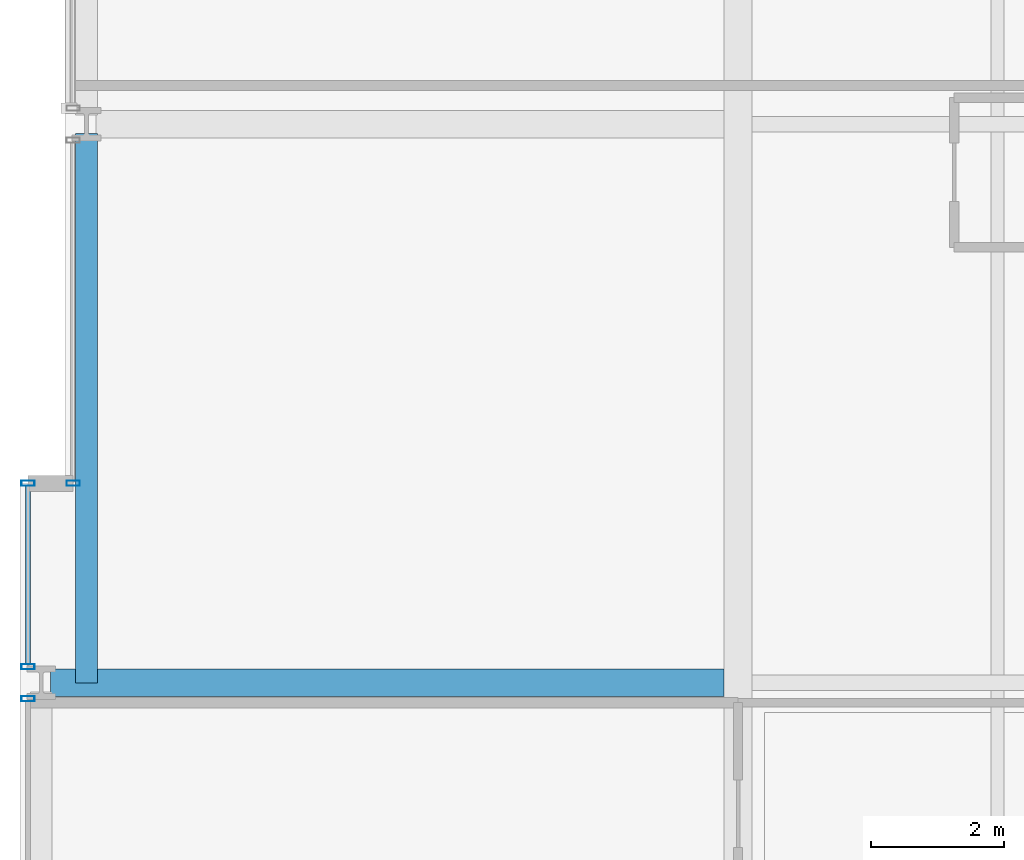
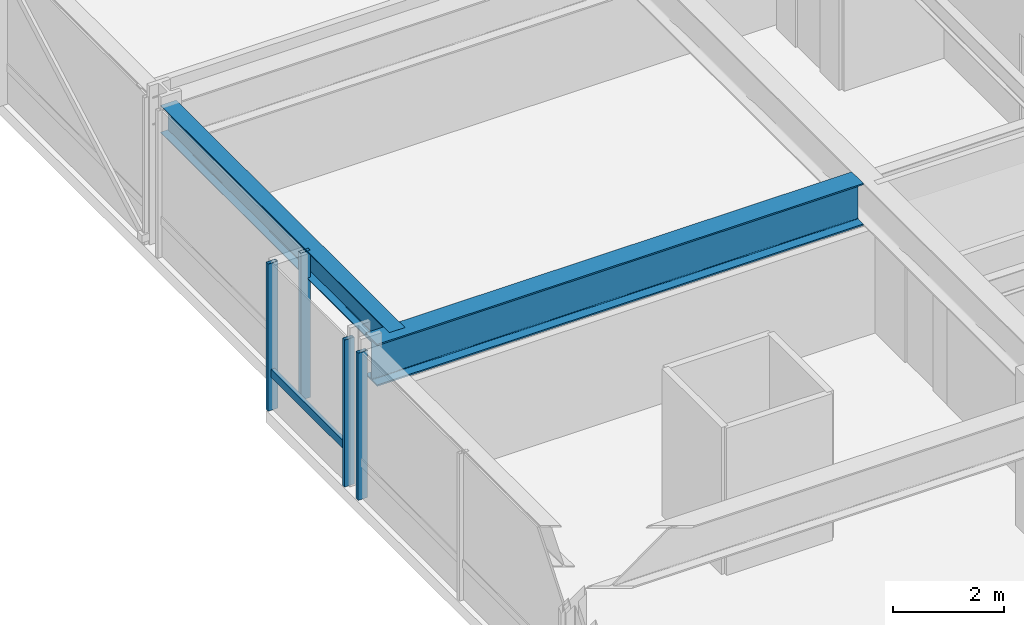
# One storey, part 7 of 37: 5 members, 2 beams, 3 elements without a shape of their own.
"""IFC4 building model written with IfcOpenShell, lengths in metres."""

import ifcopenshell
import ifcopenshell.guid

model = None  # the IFC model being written
_history = None  # IfcOwnerHistory: only IFC2X3 demands one
_inside = {}  # id of a spatial element -> (the spatial element, [elements in it])
_under = {}  # id of a project, library or spatial element -> (it, [spatial elements below it])
_declared = {}  # id of a project -> (the project, [libraries it declares])
_typed = {}  # id of a type object -> (the type object, [elements of that type])
_made_of = {}  # id of a material, layer set ... -> (it, [elements and type objects made of it])


def new_model(schema):
    """Start an empty IFC model of exactly this schema.

    Asked for "IFC4X3", IfcOpenShell would pick the latest addendum, in which some entities
    have other attributes; the version numbers below select the first issue.
    IFC2X3 requires an IfcOwnerHistory on every rooted entity: one is made here for all.
    """
    global model, _history
    if schema == "IFC4X3":
        model = ifcopenshell.file(schema_version=(4, 3, 0, 0))
    else:
        model = ifcopenshell.file(schema=schema)
    _inside.clear()
    _under.clear()
    _declared.clear()
    _typed.clear()
    _made_of.clear()
    _history = None
    if model.schema == "IFC2X3":
        org = make("IfcOrganization", Name="unknown")
        user = make(
            "IfcPersonAndOrganization",
            ThePerson=make("IfcPerson", FamilyName="unknown"),
            TheOrganization=org,
        )
        app = make(
            "IfcApplication",
            ApplicationDeveloper=org,
            Version="unknown",
            ApplicationFullName="unknown",
            ApplicationIdentifier="unknown",
        )
        _history = make(
            "IfcOwnerHistory",
            OwningUser=user,
            OwningApplication=app,
            ChangeAction="ADDED",
            CreationDate=0,
        )
    return model


def make(cls, **values):
    """One entity of the class cls with the attributes given. An attribute that is None is left unset."""
    return model.create_entity(
        cls, **{name: value for name, value in values.items() if value is not None}
    )


def rooted(cls, **values):
    """An entity with a GlobalId (a new one), such as an element, a storey or a relation."""
    return make(cls, GlobalId=ifcopenshell.guid.new(), OwnerHistory=_history, **values)


def si_unit(unit_type, name, prefix=None):
    """IfcSIUnit, for example si_unit("LENGTHUNIT", "METRE", prefix="MILLI")."""
    return make("IfcSIUnit", UnitType=unit_type, Prefix=prefix, Name=name)


def assignment(units):
    """IfcUnitAssignment: the units of a project."""
    return None if units is None else make("IfcUnitAssignment", Units=units)


def point(xyz):
    """IfcCartesianPoint."""
    return None if xyz is None else make("IfcCartesianPoint", Coordinates=xyz)


def direction(xyz):
    """IfcDirection."""
    return None if xyz is None else make("IfcDirection", DirectionRatios=xyz)


def frame(location, z_axis=None, x_axis=None):
    """IfcAxis2Placement3D, a coordinate frame: its origin and axes. An axis left out is left unset."""
    return make(
        "IfcAxis2Placement3D",
        Location=point(location),
        Axis=direction(z_axis),
        RefDirection=direction(x_axis),
    )


def frame_2d(location, x_axis=None):
    """IfcAxis2Placement2D, a coordinate frame in the plane: its origin and x axis."""
    return make(
        "IfcAxis2Placement2D", Location=point(location), RefDirection=direction(x_axis)
    )


def origin():
    """The frame at (0, 0, 0) with its axes left unset."""
    return frame((0.0, 0.0, 0.0))


def origin_2d():
    """The frame at (0, 0) in the plane with its x axis left unset."""
    return frame_2d((0.0, 0.0))


def place(relative_to, where):
    """IfcLocalPlacement: puts the frame where relative to a parent placement (None: the world)."""
    return make(
        "IfcLocalPlacement", PlacementRelTo=relative_to, RelativePlacement=where
    )


def context(
    kind, dimensions, precision=None, world=None, true_north=None, identifier=None
):
    """IfcGeometricRepresentationContext, for example the 3D "Model" context."""
    return make(
        "IfcGeometricRepresentationContext",
        ContextIdentifier=identifier,
        ContextType=kind,
        CoordinateSpaceDimension=dimensions,
        Precision=precision,
        WorldCoordinateSystem=world,
        TrueNorth=true_north,
    )


def subcontext(parent, identifier, kind, view, scale=None):
    """IfcGeometricRepresentationSubContext, for example "Body" below "Model"."""
    return make(
        "IfcGeometricRepresentationSubContext",
        ContextIdentifier=identifier,
        ContextType=kind,
        ParentContext=parent,
        TargetScale=scale,
        TargetView=view,
    )


def project(units=None, contexts=None):
    """IfcProject with its units and contexts."""
    return rooted(
        "IfcProject",
        Name="project",
        RepresentationContexts=contexts,
        UnitsInContext=assignment(units),
    )


def spatial(cls, under=None, at=None, **own):
    """A site, building, storey or space (cls), placed at a placement, below another one or the project."""
    s = rooted(cls, ObjectPlacement=at, **own)
    if under is not None:
        _under.setdefault(under.id(), (under, []))[1].append(s)
    return s


def profile(cls, at=None, kind="AREA", **sizes):
    """A parametric profile (cls). Its sizes go by their IFC names, for example OverallWidth=200.0."""
    return make(cls, ProfileType=kind, Position=at, **sizes)


def hollow_rectangle(**sizes):
    """IfcRectangleHollowProfileDef."""
    return profile("IfcRectangleHollowProfileDef", **sizes)


def i_section(**sizes):
    """IfcIShapeProfileDef."""
    return profile("IfcIShapeProfileDef", **sizes)


def extrude(swept, where, along, depth):
    """IfcExtrudedAreaSolid: the profile swept, set in the frame where, extruded along a direction by depth."""
    return make(
        "IfcExtrudedAreaSolid",
        SweptArea=swept,
        Position=where,
        ExtrudedDirection=direction(along),
        Depth=depth,
    )


def shape(context_of_items, identifier, shape_type, items):
    """IfcShapeRepresentation: the items that make up one representation, for example the "Body"."""
    return make(
        "IfcShapeRepresentation",
        ContextOfItems=context_of_items,
        RepresentationIdentifier=identifier,
        RepresentationType=shape_type,
        Items=items,
    )


def material(Name=None, Category=None):
    """IfcMaterial."""
    return make("IfcMaterial", Name=Name, Category=Category)


def layer(
    of_material, thickness, ventilated=None, Name=None, Category=None, Priority=None
):
    """IfcMaterialLayer: one layer of a wall or slab, of a material (None: an air gap)."""
    return make(
        "IfcMaterialLayer",
        Material=of_material,
        LayerThickness=thickness,
        IsVentilated=ventilated,
        Name=Name,
        Category=Category,
        Priority=Priority,
    )


def layer_set(layers, Name=None):
    """IfcMaterialLayerSet."""
    return make("IfcMaterialLayerSet", MaterialLayers=layers, LayerSetName=Name)


def material_profile(
    of_material, cross_section, Name=None, Category=None, Priority=None
):
    """IfcMaterialProfile: a cross section and its material."""
    return make(
        "IfcMaterialProfile",
        Name=Name,
        Material=of_material,
        Profile=cross_section,
        Priority=Priority,
        Category=Category,
    )


def profile_set(profiles, Name=None, composite=None):
    """IfcMaterialProfileSet."""
    return make(
        "IfcMaterialProfileSet",
        Name=Name,
        MaterialProfiles=profiles,
        CompositeProfile=composite,
    )


def made_of(thing, what):
    """Note that an element or type object is made of a material, layer set ...; save() writes the relation."""
    if what is not None:
        _made_of.setdefault(what.id(), (what, []))[1].append(thing)
    return thing


def type_object(cls, material=None, **own):
    """A type object (cls), such as IfcWallType, which elements share."""
    return made_of(rooted(cls, **own), material)


def element(
    cls,
    number,
    at=None,
    inside=None,
    cuts=None,
    type_object=None,
    material=None,
    context=None,
    identifier="Body",
    shape_type=None,
    held_by="IfcProductDefinitionShape",
    body=None,
    shapes=None,
    **own,
):
    """One element of the class cls, such as IfcWall. Its Tag is "e" and its number.

    at: its placement. inside: the storey or other place that contains it. cuts: it is an
    opening in that element (IfcRelVoidsElement). A single representation is given by context,
    identifier, shape_type and body (its items); several are given by shapes. held_by: the class
    of the entity that holds the representations. save() writes the other relations.
    """
    e = rooted(cls, Tag="e%d" % number, ObjectPlacement=at, **own)
    if body is not None:
        shapes = [shape(context, identifier, shape_type, body)]
    if shapes is not None:
        e.Representation = make(held_by, Representations=shapes)
    if inside is not None:
        _inside.setdefault(inside.id(), (inside, []))[1].append(e)
    if cuts is not None:
        rooted(
            "IfcRelVoidsElement", RelatingBuildingElement=cuts, RelatedOpeningElement=e
        )
    if type_object is not None:
        _typed.setdefault(type_object.id(), (type_object, []))[1].append(e)
    return made_of(e, material)


def aggregate(whole, parts):
    """IfcRelAggregates: a whole, such as a stair, and the parts it consists of."""
    return rooted("IfcRelAggregates", RelatingObject=whole, RelatedObjects=parts)


def save(model, path):
    """Write the relations noted so far, then the file.

    IfcRelAggregates (storeys below a building ...), IfcRelContainedInSpatialStructure (elements
    in a storey), IfcRelDefinesByType, IfcRelAssociatesMaterial and IfcRelDeclares: one each for
    every whole, place, type object, material and project.
    """
    for whole, parts in _under.values():
        aggregate(whole, parts)
    for where, things in _inside.values():
        rooted(
            "IfcRelContainedInSpatialStructure",
            RelatedElements=things,
            RelatingStructure=where,
        )
    for kind, things in _typed.values():
        rooted("IfcRelDefinesByType", RelatedObjects=things, RelatingType=kind)
    for what, things in _made_of.values():
        rooted("IfcRelAssociatesMaterial", RelatedObjects=things, RelatingMaterial=what)
    for by, libraries in _declared.values():
        rooted("IfcRelDeclares", RelatingContext=by, RelatedDefinitions=libraries)
    model.write(path)


model = new_model("IFC4")

# Units and contexts
model_context = context("Model", 3, precision=1e-05, world=origin(), true_north=direction((0.0, 1.0)))
body_context = subcontext(model_context, "Body", "Model", "MODEL_VIEW")
ifc_project = project(units=[si_unit("LENGTHUNIT", "METRE"), si_unit("AREAUNIT", "SQUARE_METRE"), si_unit("VOLUMEUNIT", "CUBIC_METRE"), si_unit("PLANEANGLEUNIT", "RADIAN"), si_unit("MASSUNIT", "GRAM", prefix="KILO")], contexts=[model_context])

# Site, building, storey
site_placement = place(None, origin())
site = spatial("IfcSite", under=ifc_project, at=site_placement, CompositionType="ELEMENT")
building_placement = place(site_placement, origin())
building = spatial("IfcBuilding", under=site, at=building_placement, Name="Drelvath Grand Hotel", CompositionType="ELEMENT")
storey_placement = place(building_placement, frame((0.0, 0.0, 43.699951171875)))
storey = spatial("IfcBuildingStorey", under=building, at=storey_placement, Name="L09", CompositionType="ELEMENT", Elevation=43.699951171875)

# Curtain wall, member
ifc_material_1 = material(Name="Warm Bronze Anodised Aluminium Frame", Category="aluminium")
ifc_layer = layer(ifc_material_1, 0.199951171875)
ifc_layer_set = layer_set([ifc_layer], Name="Warm Bronze Anodised Aluminium Frame")
curtain_wall_type = type_object("IfcCurtainWallType", Name="Stick Curtain Wall CW-02 Warm Bronze Low-Rise", PredefinedType="NOTDEFINED", material=ifc_layer_set)
curtain_wall_1_placement = place(storey_placement, origin())
curtain_wall_1 = element("IfcCurtainWall", 1, at=curtain_wall_1_placement, inside=storey, type_object=curtain_wall_type, Name="L09 CW-02 Curtain Wall CW02-L09-WS3", PredefinedType="NOTDEFINED")
ifc_material_profile_1 = material_profile(ifc_material_1, hollow_rectangle(XDim=0.074951171875, YDim=0.179931640625, WallThickness=0.0048828125, at=origin_2d()), Name="HSS180X75X5")
ifc_profile_set_1 = profile_set([ifc_material_profile_1], Name="Warm Bronze Anodised Aluminium Frame")
member_type_1 = type_object("IfcMemberType", Name="Curtain Wall Horizontal Transom CW-02 HSS180X75X5", PredefinedType="USERDEFINED", material=ifc_profile_set_1)
member_1_placement = place(storey_placement, frame((-26.8798828125, 18.880859375, 0.81005859375), z_axis=(0.0, 1.0, 0.0), x_axis=(-1.0, 0.0, 0.0)))
member_1 = element("IfcMember", 2, at=member_1_placement, type_object=member_type_1, Name="CW02-L09-WS3 Sill Transom", ObjectType="TRANSOM", PredefinedType="USERDEFINED", context=body_context, shape_type="SweptSolid", body=[
    extrude(hollow_rectangle(XDim=0.074951171875, YDim=0.179931640625, WallThickness=0.0048828125, at=origin_2d()), origin(), (0.0, 0.0, 1.0), 2.67919921875),
])

curtain_wall_2_placement = place(storey_placement, origin())
curtain_wall_2 = element("IfcCurtainWall", 3, at=curtain_wall_2_placement, inside=storey, type_object=curtain_wall_type, Name="L09 CW-02 Curtain Wall CW02-L09-WS2", PredefinedType="NOTDEFINED")
ifc_material_profile_2 = material_profile(ifc_material_1, hollow_rectangle(XDim=0.080078125, YDim=0.199951171875, WallThickness=0.0048828125, at=origin_2d()), Name="HSS200X80X5")
ifc_profile_set_2 = profile_set([ifc_material_profile_2], Name="Warm Bronze Anodised Aluminium Frame")
member_type_2 = type_object("IfcMemberType", Name="Curtain Wall Vertical Mullion CW-02 HSS200X80X5", PredefinedType="MULLION", material=ifc_profile_set_2)
member_2_placement = place(storey_placement, frame((-26.8798828125, 18.359130859375, 0.0), z_axis=(0.0, 0.0, 1.0), x_axis=(0.0, 1.0, 0.0)))
member_2 = element("IfcMember", 4, at=member_2_placement, type_object=member_type_2, Name="CW02-L09-WS2 Mullion 3", PredefinedType="MULLION", context=body_context, shape_type="SweptSolid", body=[
    extrude(hollow_rectangle(XDim=0.080078125, YDim=0.199951171875, WallThickness=0.0048828125, at=origin_2d()), origin(), (0.0, 0.0, 1.0), 3.239990234375),
])
aggregate(curtain_wall_2, [member_2])

# Member
member_3_placement = place(storey_placement, frame((-26.8798828125, 18.8408203125, 0.0), z_axis=(0.0, 0.0, 1.0), x_axis=(0.0, 1.0, 0.0)))
member_3 = element("IfcMember", 5, at=member_3_placement, type_object=member_type_2, Name="CW02-L09-WS3 Mullion 1", PredefinedType="MULLION", context=body_context, shape_type="SweptSolid", body=[
    extrude(hollow_rectangle(XDim=0.080078125, YDim=0.199951171875, WallThickness=0.0048828125, at=origin_2d()), origin(), (0.0, 0.0, 1.0), 3.239990234375),
])

member_4_placement = place(storey_placement, frame((-26.8798828125, 21.60009765625, 0.0), z_axis=(0.0, 0.0, 1.0), x_axis=(0.0, 1.0, 0.0)))
member_4 = element("IfcMember", 6, at=member_4_placement, type_object=member_type_2, Name="CW02-L09-WS3 Mullion 2", PredefinedType="MULLION", context=body_context, shape_type="SweptSolid", body=[
    extrude(hollow_rectangle(XDim=0.080078125, YDim=0.199951171875, WallThickness=0.0048828125, at=origin_2d()), origin(), (0.0, 0.0, 1.0), 3.239990234375),
])

aggregate(curtain_wall_1, [member_3, member_4, member_1])

# Curtain wall, member
curtain_wall_3_placement = place(storey_placement, origin())
curtain_wall_3 = element("IfcCurtainWall", 7, at=curtain_wall_3_placement, inside=storey, type_object=curtain_wall_type, Name="L09 CW-02 Curtain Wall CW02-L09-WM1", PredefinedType="NOTDEFINED")
member_5_placement = place(storey_placement, frame((-26.199951171875, 21.60009765625, 0.0), z_axis=(0.0, 0.0, 1.0), x_axis=(0.0, 1.0, 0.0)))
member_5 = element("IfcMember", 8, at=member_5_placement, type_object=member_type_2, Name="CW02-L09-WM1 Mullion 1", PredefinedType="MULLION", context=body_context, shape_type="SweptSolid", body=[
    extrude(hollow_rectangle(XDim=0.080078125, YDim=0.199951171875, WallThickness=0.0048828125, at=origin_2d()), origin(), (0.0, 0.0, 1.0), 3.239990234375),
])
aggregate(curtain_wall_3, [member_5])

# Beams
ifc_material_2 = material(Name="Steel ASTM A992 Gr 50", Category="steel")
ifc_material_profile_3 = material_profile(ifc_material_2, i_section(OverallWidth=0.323974609375, OverallDepth=0.611083984375, WebThickness=0.0126953125, FlangeThickness=0.01904296875, FilletRadius=0.02197265625, at=origin_2d()), Name="W24X104")
ifc_profile_set_3 = profile_set([ifc_material_profile_3], Name="Steel ASTM A992 Gr 50")
beam_type_1 = type_object("IfcBeamType", Name="Perimeter Spandrel Beam W24X104", PredefinedType="SPANDREL", material=ifc_profile_set_3)
beam_1_placement = place(storey_placement, frame((-26.0, 18.60009765625, 2.9345703125), z_axis=(0.0, 1.0, 0.0), x_axis=(-1.0, 0.0, 0.0)))
element("IfcBeam", 9, at=beam_1_placement, inside=storey, type_object=beam_type_1, Name="L09 Spandrel West Mid S", PredefinedType="SPANDREL", context=body_context, shape_type="SweptSolid", body=[
    extrude(i_section(OverallWidth=0.323974609375, OverallDepth=0.611083984375, WebThickness=0.0126953125, FlangeThickness=0.01904296875, FilletRadius=0.02197265625, at=origin_2d()), origin(), (0.0, 0.0, 1.0), 8.260009765625),
])
ifc_material_profile_4 = material_profile(ifc_material_2, i_section(OverallWidth=0.418212890625, OverallDepth=0.926513671875, WebThickness=0.019287109375, FlangeThickness=0.031982421875, FilletRadius=0.028076171875, at=origin_2d()), Name="W36X231")
ifc_profile_set_4 = profile_set([ifc_material_profile_4], Name="Steel ASTM A992 Gr 50")
beam_type_2 = type_object("IfcBeamType", Name="Primary Floor Girder W36X231", PredefinedType="BEAM", material=ifc_profile_set_4)
beam_2_placement = place(storey_placement, frame((-26.5400390625, 18.60009765625, 2.77685546875), z_axis=(1.0, 0.0, 0.0), x_axis=(0.0, 1.0, 0.0)))
element("IfcBeam", 10, at=beam_2_placement, inside=storey, type_object=beam_type_2, Name="L09 West Wing Girder D", PredefinedType="BEAM", context=body_context, shape_type="SweptSolid", body=[
    extrude(i_section(OverallWidth=0.418212890625, OverallDepth=0.926513671875, WebThickness=0.019287109375, FlangeThickness=0.031982421875, FilletRadius=0.028076171875, at=origin_2d()), origin(), (0.0, 0.0, 1.0), 10.130859375),
])

save(model, "model.ifc")
